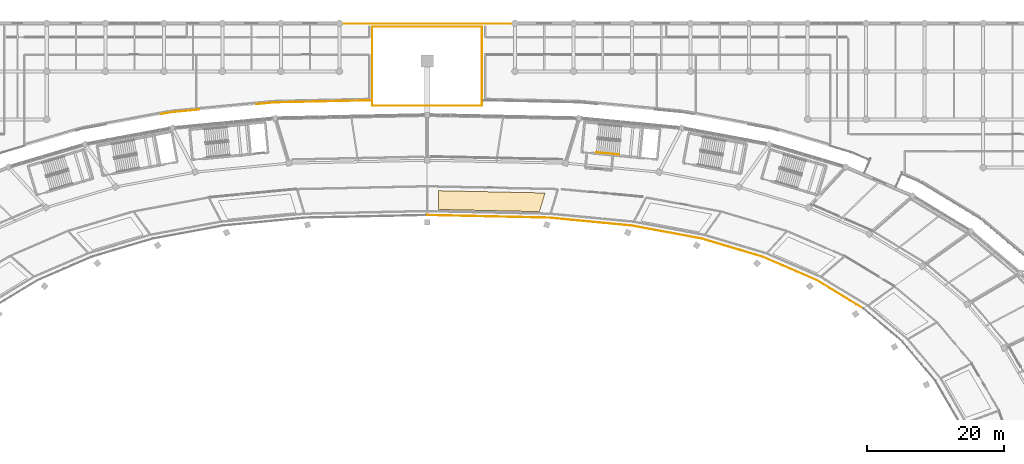
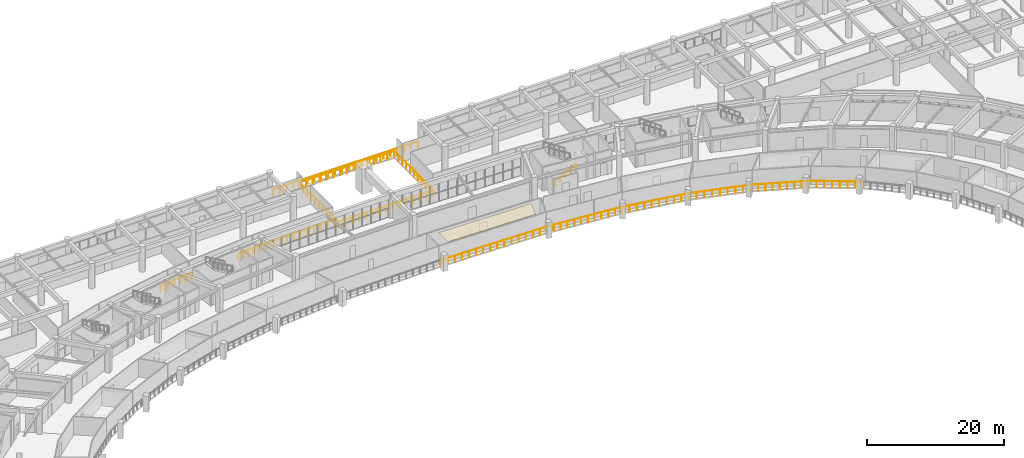
# One storey, part 137 of 141: 7 railings, 1 covering.
"""IFC4 building model written with IfcOpenShell, lengths in metres."""

from ifc_helpers import new_model, si_unit, direction, frame, origin, origin_2d, place, context, subcontext, project, spatial, polyline, circle, outline, extrude, material, layer, layer_set, type_object, element, save


model = new_model("IFC4")

# Units and contexts
model_context = context("Model", 3, precision=1e-05, world=origin(), true_north=direction((0.0, 1.0)))
body_context = subcontext(model_context, "Body", "Model", "MODEL_VIEW")
ifc_project = project(units=[si_unit("LENGTHUNIT", "METRE"), si_unit("AREAUNIT", "SQUARE_METRE"), si_unit("VOLUMEUNIT", "CUBIC_METRE"), si_unit("PLANEANGLEUNIT", "RADIAN"), si_unit("MASSUNIT", "GRAM", prefix="KILO")], contexts=[model_context])

# Site, building, storey
site_placement = place(None, origin())
site = spatial("IfcSite", under=ifc_project, at=site_placement, CompositionType="ELEMENT")
building_placement = place(site_placement, origin())
building = spatial("IfcBuilding", under=site, at=building_placement, Name="Mphavela Belvedere Stadium", CompositionType="ELEMENT")
storey_placement = place(building_placement, frame((0.0, 0.0, 14.699951171875)))
storey = spatial("IfcBuildingStorey", under=building, at=storey_placement, Name="L03", CompositionType="ELEMENT", Elevation=14.699951171875)

# Covering
ifc_material_1 = material(Name="Perforated acoustic mineral ceiling tile")
ifc_layer = layer(ifc_material_1, 0.0400390625)
ifc_layer_set = layer_set([ifc_layer], Name="Perforated acoustic mineral ceiling tile")
covering_type = type_object("IfcCoveringType", Name="COV-CEILING-ACOUSTIC", PredefinedType="CEILING", material=ifc_layer_set)
covering_placement = place(storey_placement, frame((0.0, 0.0, 3.199951171875)))
element("IfcCovering", 1, at=covering_placement, inside=storey, type_object=covering_type, Name="Concourse acoustic ceiling L03-12", PredefinedType="CEILING", context=body_context, shape_type="SweptSolid", body=[
    extrude(outline(polyline([(131.334228515625, 146.57958984375), (116.656005859375, 146.8955078125), (116.656005859375, 149.631103515625), (132.155517578125, 149.29736328125), (131.334228515625, 146.57958984375)])), origin(), (0.0, 0.0, 1.0), 0.0400390625),
])

# Railings
ifc_material_2 = material(Name="Bronze and laminated glass stadium balustrade", Category="glass")
railing_type_1 = type_object("IfcRailingType", Name="RAL-BALUSTRADE-1120", PredefinedType="BALUSTRADE", material=ifc_material_2)
railing_1_placement = place(storey_placement, frame((107.0, 162.0, 0.0)))
element("IfcRailing", 2, at=railing_1_placement, inside=storey, type_object=railing_type_1, Name="North Mast and Ceremonial End Forecourt court balustrade L03-A", PredefinedType="BALUSTRADE", context=body_context, shape_type="SweptSolid", body=[
    extrude(circle(Radius=0.02392578125, at=origin_2d()), frame((0.0, 0.0, 1.09619140625), z_axis=(1.0, 0.0, 0.0), x_axis=(0.0, 1.0, 0.0)), (0.0, 0.0, 1.0), 16.0),
    extrude(circle(Radius=0.02392578125, at=origin_2d()), frame((16.0, 0.0, 1.09619140625), z_axis=(0.0, 1.0, 0.0), x_axis=(-1.0, 0.0, 0.0)), (0.0, 0.0, 1.0), 11.419921875),
    extrude(circle(Radius=0.02099609375, at=origin_2d()), origin(), (0.0, 0.0, 1.0), 1.072021484375),
    extrude(circle(Radius=0.02099609375, at=origin_2d()), frame((1.142822265625, 0.0, 0.0)), (0.0, 0.0, 1.0), 1.072021484375),
    extrude(circle(Radius=0.02099609375, at=origin_2d()), frame((2.28564453125, 0.0, 0.0)), (0.0, 0.0, 1.0), 1.072021484375),
    extrude(circle(Radius=0.02099609375, at=origin_2d()), frame((3.428466796875, 0.0, 0.0)), (0.0, 0.0, 1.0), 1.072021484375),
    extrude(circle(Radius=0.02099609375, at=origin_2d()), frame((4.571533203125, 0.0, 0.0)), (0.0, 0.0, 1.0), 1.072021484375),
    extrude(circle(Radius=0.02099609375, at=origin_2d()), frame((5.71435546875, 0.0, 0.0)), (0.0, 0.0, 1.0), 1.072021484375),
    extrude(circle(Radius=0.02099609375, at=origin_2d()), frame((6.857177734375, 0.0, 0.0)), (0.0, 0.0, 1.0), 1.072021484375),
    extrude(circle(Radius=0.02099609375, at=origin_2d()), frame((8.0, 0.0, 0.0)), (0.0, 0.0, 1.0), 1.072021484375),
    extrude(circle(Radius=0.02099609375, at=origin_2d()), frame((9.142822265625, 0.0, 0.0)), (0.0, 0.0, 1.0), 1.072021484375),
    extrude(circle(Radius=0.02099609375, at=origin_2d()), frame((10.28564453125, 0.0, 0.0)), (0.0, 0.0, 1.0), 1.072021484375),
    extrude(circle(Radius=0.02099609375, at=origin_2d()), frame((11.428466796875, 0.0, 0.0)), (0.0, 0.0, 1.0), 1.072021484375),
    extrude(circle(Radius=0.02099609375, at=origin_2d()), frame((12.571533203125, 0.0, 0.0)), (0.0, 0.0, 1.0), 1.072021484375),
    extrude(circle(Radius=0.02099609375, at=origin_2d()), frame((13.71435546875, 0.0, 0.0)), (0.0, 0.0, 1.0), 1.072021484375),
    extrude(circle(Radius=0.02099609375, at=origin_2d()), frame((14.857177734375, 0.0, 0.0)), (0.0, 0.0, 1.0), 1.072021484375),
    extrude(circle(Radius=0.02099609375, at=origin_2d()), frame((16.0, 0.0, 0.0)), (0.0, 0.0, 1.0), 1.072021484375),
    extrude(circle(Radius=0.02099609375, at=origin_2d()), frame((16.0, 1.14208984375, 0.0)), (0.0, 0.0, 1.0), 1.072021484375),
    extrude(circle(Radius=0.02099609375, at=origin_2d()), frame((16.0, 2.283935546875, 0.0)), (0.0, 0.0, 1.0), 1.072021484375),
    extrude(circle(Radius=0.02099609375, at=origin_2d()), frame((16.0, 3.426025390625, 0.0)), (0.0, 0.0, 1.0), 1.072021484375),
    extrude(circle(Radius=0.02099609375, at=origin_2d()), frame((16.0, 4.56787109375, 0.0)), (0.0, 0.0, 1.0), 1.072021484375),
    extrude(circle(Radius=0.02099609375, at=origin_2d()), frame((16.0, 5.7099609375, 0.0)), (0.0, 0.0, 1.0), 1.072021484375),
    extrude(circle(Radius=0.02099609375, at=origin_2d()), frame((16.0, 6.85205078125, 0.0)), (0.0, 0.0, 1.0), 1.072021484375),
    extrude(circle(Radius=0.02099609375, at=origin_2d()), frame((16.0, 7.993896484375, 0.0)), (0.0, 0.0, 1.0), 1.072021484375),
    extrude(circle(Radius=0.02099609375, at=origin_2d()), frame((16.0, 9.135986328125, 0.0)), (0.0, 0.0, 1.0), 1.072021484375),
    extrude(circle(Radius=0.02099609375, at=origin_2d()), frame((16.0, 10.27783203125, 0.0)), (0.0, 0.0, 1.0), 1.072021484375),
    extrude(circle(Radius=0.02099609375, at=origin_2d()), frame((16.0, 11.419921875, 0.0)), (0.0, 0.0, 1.0), 1.072021484375),
])
railing_2_placement = place(storey_placement, frame((123.0, 173.5, 0.0)))
element("IfcRailing", 3, at=railing_2_placement, inside=storey, type_object=railing_type_1, Name="North Mast and Ceremonial End Forecourt court balustrade L03-B", PredefinedType="BALUSTRADE", context=body_context, shape_type="SweptSolid", body=[
    extrude(circle(Radius=0.02392578125, at=origin_2d()), frame((0.0, 0.0, 1.09619140625), z_axis=(-1.0, 0.0, 0.0), x_axis=(0.0, -1.0, 0.0)), (0.0, 0.0, 1.0), 16.0),
    extrude(circle(Radius=0.02392578125, at=origin_2d()), frame((-16.0, 0.0, 1.09619140625), z_axis=(0.0, -1.0, 0.0), x_axis=(1.0, 0.0, 0.0)), (0.0, 0.0, 1.0), 11.419921875),
    extrude(circle(Radius=0.02099609375, at=origin_2d()), origin(), (0.0, 0.0, 1.0), 1.072021484375),
    extrude(circle(Radius=0.02099609375, at=origin_2d()), frame((-1.142822265625, 0.0, 0.0)), (0.0, 0.0, 1.0), 1.072021484375),
    extrude(circle(Radius=0.02099609375, at=origin_2d()), frame((-2.28564453125, 0.0, 0.0)), (0.0, 0.0, 1.0), 1.072021484375),
    extrude(circle(Radius=0.02099609375, at=origin_2d()), frame((-3.428466796875, 0.0, 0.0)), (0.0, 0.0, 1.0), 1.072021484375),
    extrude(circle(Radius=0.02099609375, at=origin_2d()), frame((-4.571533203125, 0.0, 0.0)), (0.0, 0.0, 1.0), 1.072021484375),
    extrude(circle(Radius=0.02099609375, at=origin_2d()), frame((-5.71435546875, 0.0, 0.0)), (0.0, 0.0, 1.0), 1.072021484375),
    extrude(circle(Radius=0.02099609375, at=origin_2d()), frame((-6.857177734375, 0.0, 0.0)), (0.0, 0.0, 1.0), 1.072021484375),
    extrude(circle(Radius=0.02099609375, at=origin_2d()), frame((-8.0, 0.0, 0.0)), (0.0, 0.0, 1.0), 1.072021484375),
    extrude(circle(Radius=0.02099609375, at=origin_2d()), frame((-9.142822265625, 0.0, 0.0)), (0.0, 0.0, 1.0), 1.072021484375),
    extrude(circle(Radius=0.02099609375, at=origin_2d()), frame((-10.28564453125, 0.0, 0.0)), (0.0, 0.0, 1.0), 1.072021484375),
    extrude(circle(Radius=0.02099609375, at=origin_2d()), frame((-11.428466796875, 0.0, 0.0)), (0.0, 0.0, 1.0), 1.072021484375),
    extrude(circle(Radius=0.02099609375, at=origin_2d()), frame((-12.571533203125, 0.0, 0.0)), (0.0, 0.0, 1.0), 1.072021484375),
    extrude(circle(Radius=0.02099609375, at=origin_2d()), frame((-13.71435546875, 0.0, 0.0)), (0.0, 0.0, 1.0), 1.072021484375),
    extrude(circle(Radius=0.02099609375, at=origin_2d()), frame((-14.857177734375, 0.0, 0.0)), (0.0, 0.0, 1.0), 1.072021484375),
    extrude(circle(Radius=0.02099609375, at=origin_2d()), frame((-16.0, 0.0, 0.0)), (0.0, 0.0, 1.0), 1.072021484375),
    extrude(circle(Radius=0.02099609375, at=origin_2d()), frame((-16.0, -1.14208984375, 0.0)), (0.0, 0.0, 1.0), 1.072021484375),
    extrude(circle(Radius=0.02099609375, at=origin_2d()), frame((-16.0, -2.283935546875, 0.0)), (0.0, 0.0, 1.0), 1.072021484375),
    extrude(circle(Radius=0.02099609375, at=origin_2d()), frame((-16.0, -3.426025390625, 0.0)), (0.0, 0.0, 1.0), 1.072021484375),
    extrude(circle(Radius=0.02099609375, at=origin_2d()), frame((-16.0, -4.56787109375, 0.0)), (0.0, 0.0, 1.0), 1.072021484375),
    extrude(circle(Radius=0.02099609375, at=origin_2d()), frame((-16.0, -5.7099609375, 0.0)), (0.0, 0.0, 1.0), 1.072021484375),
    extrude(circle(Radius=0.02099609375, at=origin_2d()), frame((-16.0, -6.85205078125, 0.0)), (0.0, 0.0, 1.0), 1.072021484375),
    extrude(circle(Radius=0.02099609375, at=origin_2d()), frame((-16.0, -7.993896484375, 0.0)), (0.0, 0.0, 1.0), 1.072021484375),
    extrude(circle(Radius=0.02099609375, at=origin_2d()), frame((-16.0, -9.135986328125, 0.0)), (0.0, 0.0, 1.0), 1.072021484375),
    extrude(circle(Radius=0.02099609375, at=origin_2d()), frame((-16.0, -10.27783203125, 0.0)), (0.0, 0.0, 1.0), 1.072021484375),
    extrude(circle(Radius=0.02099609375, at=origin_2d()), frame((-16.0, -11.419921875, 0.0)), (0.0, 0.0, 1.0), 1.072021484375),
])
railing_3_placement = place(storey_placement, frame((178.473876953125, 132.478515625, 0.0)))
element("IfcRailing", 4, at=railing_3_placement, inside=storey, type_object=railing_type_1, Name="Bowl safety balustrade l03_bowl S2", PredefinedType="BALUSTRADE", context=body_context, shape_type="SweptSolid", body=[
    extrude(circle(Radius=0.02392578125, at=origin_2d()), frame((0.0, 0.0, 1.09619140625), z_axis=(-0.854316094817, 0.519753797617, 0.0), x_axis=(-0.519753797617, -0.854316094817, 0.0)), (0.0, 0.0, 1.0), 7.940185546875),
    extrude(circle(Radius=0.02392578125, at=origin_2d()), frame((-6.783447265625, 4.126953125, 1.09619140625), z_axis=(-0.917499572249, 0.397736765869, 0.0), x_axis=(-0.397736765869, -0.917499572249, 0.0)), (0.0, 0.0, 1.0), 8.529052734375),
    extrude(circle(Radius=0.02392578125, at=origin_2d()), frame((-14.60888671875, 7.519287109375, 1.09619140625), z_axis=(-0.958661836311, 0.284547858189, 0.0), x_axis=(-0.284547858189, -0.958661836311, 0.0)), (0.0, 0.0, 1.0), 9.315185546875),
    extrude(circle(Radius=0.02392578125, at=origin_2d()), frame((-23.5390625, 10.169921875, 1.09619140625), z_axis=(-0.983095612922, 0.183092915902, 0.0), x_axis=(-0.183092915902, -0.983095612922, 0.0)), (0.0, 0.0, 1.0), 10.382080078125),
    extrude(circle(Radius=0.02392578125, at=origin_2d()), frame((-33.74560546875, 12.07080078125, 1.09619140625), z_axis=(-0.995484264722, 0.09492670168, 0.0), x_axis=(-0.09492670168, -0.995484264722, 0.0)), (0.0, 0.0, 1.0), 12.04931640625),
    extrude(circle(Radius=0.02392578125, at=origin_2d()), frame((-45.740478515625, 13.214599609375, 1.09619140625), z_axis=(-0.999768266575, 0.021527032999, 0.0), x_axis=(-0.021527032999, -0.999768266575, 0.0)), (0.0, 0.0, 1.0), 17.737548828125),
    extrude(circle(Radius=0.02099609375, at=origin_2d()), origin(), (0.0, 0.0, 1.0), 1.072021484375),
    extrude(circle(Radius=0.02099609375, at=origin_2d()), frame((-0.968994140625, 0.589599609375, 0.0)), (0.0, 0.0, 1.0), 1.072021484375),
    extrude(circle(Radius=0.02099609375, at=origin_2d()), frame((-1.938232421875, 1.17919921875, 0.0)), (0.0, 0.0, 1.0), 1.072021484375),
    extrude(circle(Radius=0.02099609375, at=origin_2d()), frame((-2.9072265625, 1.768798828125, 0.0)), (0.0, 0.0, 1.0), 1.072021484375),
    extrude(circle(Radius=0.02099609375, at=origin_2d()), frame((-3.876220703125, 2.358154296875, 0.0)), (0.0, 0.0, 1.0), 1.072021484375),
    extrude(circle(Radius=0.02099609375, at=origin_2d()), frame((-4.84521484375, 2.94775390625, 0.0)), (0.0, 0.0, 1.0), 1.072021484375),
    extrude(circle(Radius=0.02099609375, at=origin_2d()), frame((-5.814453125, 3.537353515625, 0.0)), (0.0, 0.0, 1.0), 1.072021484375),
    extrude(circle(Radius=0.02099609375, at=origin_2d()), frame((-6.783447265625, 4.126953125, 0.0)), (0.0, 0.0, 1.0), 1.072021484375),
    extrude(circle(Radius=0.02099609375, at=origin_2d()), frame((-7.76171875, 4.551025390625, 0.0)), (0.0, 0.0, 1.0), 1.072021484375),
    extrude(circle(Radius=0.02099609375, at=origin_2d()), frame((-8.73974609375, 4.97509765625, 0.0)), (0.0, 0.0, 1.0), 1.072021484375),
    extrude(circle(Radius=0.02099609375, at=origin_2d()), frame((-9.718017578125, 5.399169921875, 0.0)), (0.0, 0.0, 1.0), 1.072021484375),
    extrude(circle(Radius=0.02099609375, at=origin_2d()), frame((-10.6962890625, 5.8232421875, 0.0)), (0.0, 0.0, 1.0), 1.072021484375),
    extrude(circle(Radius=0.02099609375, at=origin_2d()), frame((-11.67431640625, 6.2470703125, 0.0)), (0.0, 0.0, 1.0), 1.072021484375),
    extrude(circle(Radius=0.02099609375, at=origin_2d()), frame((-12.652587890625, 6.671142578125, 0.0)), (0.0, 0.0, 1.0), 1.072021484375),
    extrude(circle(Radius=0.02099609375, at=origin_2d()), frame((-13.630615234375, 7.09521484375, 0.0)), (0.0, 0.0, 1.0), 1.072021484375),
    extrude(circle(Radius=0.02099609375, at=origin_2d()), frame((-14.60888671875, 7.519287109375, 0.0)), (0.0, 0.0, 1.0), 1.072021484375),
    extrude(circle(Radius=0.02099609375, at=origin_2d()), frame((-15.72509765625, 7.8505859375, 0.0)), (0.0, 0.0, 1.0), 1.072021484375),
    extrude(circle(Radius=0.02099609375, at=origin_2d()), frame((-16.84130859375, 8.181884765625, 0.0)), (0.0, 0.0, 1.0), 1.072021484375),
    extrude(circle(Radius=0.02099609375, at=origin_2d()), frame((-17.957763671875, 8.51318359375, 0.0)), (0.0, 0.0, 1.0), 1.072021484375),
    extrude(circle(Radius=0.02099609375, at=origin_2d()), frame((-19.073974609375, 8.8447265625, 0.0)), (0.0, 0.0, 1.0), 1.072021484375),
    extrude(circle(Radius=0.02099609375, at=origin_2d()), frame((-20.190185546875, 9.176025390625, 0.0)), (0.0, 0.0, 1.0), 1.072021484375),
    extrude(circle(Radius=0.02099609375, at=origin_2d()), frame((-21.306640625, 9.50732421875, 0.0)), (0.0, 0.0, 1.0), 1.072021484375),
    extrude(circle(Radius=0.02099609375, at=origin_2d()), frame((-22.4228515625, 9.838623046875, 0.0)), (0.0, 0.0, 1.0), 1.072021484375),
    extrude(circle(Radius=0.02099609375, at=origin_2d()), frame((-23.5390625, 10.169921875, 0.0)), (0.0, 0.0, 1.0), 1.072021484375),
    extrude(circle(Radius=0.02099609375, at=origin_2d()), frame((-24.673095703125, 10.381103515625, 0.0)), (0.0, 0.0, 1.0), 1.072021484375),
    extrude(circle(Radius=0.02099609375, at=origin_2d()), frame((-25.80712890625, 10.59228515625, 0.0)), (0.0, 0.0, 1.0), 1.072021484375),
    extrude(circle(Radius=0.02099609375, at=origin_2d()), frame((-26.941162109375, 10.803466796875, 0.0)), (0.0, 0.0, 1.0), 1.072021484375),
    extrude(circle(Radius=0.02099609375, at=origin_2d()), frame((-28.0751953125, 11.0146484375, 0.0)), (0.0, 0.0, 1.0), 1.072021484375),
    extrude(circle(Radius=0.02099609375, at=origin_2d()), frame((-29.20947265625, 11.22607421875, 0.0)), (0.0, 0.0, 1.0), 1.072021484375),
    extrude(circle(Radius=0.02099609375, at=origin_2d()), frame((-30.343505859375, 11.437255859375, 0.0)), (0.0, 0.0, 1.0), 1.072021484375),
    extrude(circle(Radius=0.02099609375, at=origin_2d()), frame((-31.4775390625, 11.6484375, 0.0)), (0.0, 0.0, 1.0), 1.072021484375),
    extrude(circle(Radius=0.02099609375, at=origin_2d()), frame((-32.611572265625, 11.859619140625, 0.0)), (0.0, 0.0, 1.0), 1.072021484375),
    extrude(circle(Radius=0.02099609375, at=origin_2d()), frame((-33.74560546875, 12.07080078125, 0.0)), (0.0, 0.0, 1.0), 1.072021484375),
    extrude(circle(Radius=0.02099609375, at=origin_2d()), frame((-34.8359375, 12.1748046875, 0.0)), (0.0, 0.0, 1.0), 1.072021484375),
    extrude(circle(Radius=0.02099609375, at=origin_2d()), frame((-35.926513671875, 12.27880859375, 0.0)), (0.0, 0.0, 1.0), 1.072021484375),
    extrude(circle(Radius=0.02099609375, at=origin_2d()), frame((-37.016845703125, 12.3828125, 0.0)), (0.0, 0.0, 1.0), 1.072021484375),
    extrude(circle(Radius=0.02099609375, at=origin_2d()), frame((-38.107421875, 12.48681640625, 0.0)), (0.0, 0.0, 1.0), 1.072021484375),
    extrude(circle(Radius=0.02099609375, at=origin_2d()), frame((-39.19775390625, 12.5908203125, 0.0)), (0.0, 0.0, 1.0), 1.072021484375),
    extrude(circle(Radius=0.02099609375, at=origin_2d()), frame((-40.288330078125, 12.694580078125, 0.0)), (0.0, 0.0, 1.0), 1.072021484375),
    extrude(circle(Radius=0.02099609375, at=origin_2d()), frame((-41.378662109375, 12.798583984375, 0.0)), (0.0, 0.0, 1.0), 1.072021484375),
    extrude(circle(Radius=0.02099609375, at=origin_2d()), frame((-42.46923828125, 12.902587890625, 0.0)), (0.0, 0.0, 1.0), 1.072021484375),
    extrude(circle(Radius=0.02099609375, at=origin_2d()), frame((-43.5595703125, 13.006591796875, 0.0)), (0.0, 0.0, 1.0), 1.072021484375),
    extrude(circle(Radius=0.02099609375, at=origin_2d()), frame((-44.650146484375, 13.110595703125, 0.0)), (0.0, 0.0, 1.0), 1.072021484375),
    extrude(circle(Radius=0.02099609375, at=origin_2d()), frame((-45.740478515625, 13.214599609375, 0.0)), (0.0, 0.0, 1.0), 1.072021484375),
    extrude(circle(Radius=0.02099609375, at=origin_2d()), frame((-46.922607421875, 13.239990234375, 0.0)), (0.0, 0.0, 1.0), 1.072021484375),
    extrude(circle(Radius=0.02099609375, at=origin_2d()), frame((-48.10498046875, 13.265625, 0.0)), (0.0, 0.0, 1.0), 1.072021484375),
    extrude(circle(Radius=0.02099609375, at=origin_2d()), frame((-49.287109375, 13.291015625, 0.0)), (0.0, 0.0, 1.0), 1.072021484375),
    extrude(circle(Radius=0.02099609375, at=origin_2d()), frame((-50.469482421875, 13.31640625, 0.0)), (0.0, 0.0, 1.0), 1.072021484375),
    extrude(circle(Radius=0.02099609375, at=origin_2d()), frame((-51.651611328125, 13.341796875, 0.0)), (0.0, 0.0, 1.0), 1.072021484375),
    extrude(circle(Radius=0.02099609375, at=origin_2d()), frame((-52.833740234375, 13.367431640625, 0.0)), (0.0, 0.0, 1.0), 1.072021484375),
    extrude(circle(Radius=0.02099609375, at=origin_2d()), frame((-54.01611328125, 13.392822265625, 0.0)), (0.0, 0.0, 1.0), 1.072021484375),
    extrude(circle(Radius=0.02099609375, at=origin_2d()), frame((-55.1982421875, 13.418212890625, 0.0)), (0.0, 0.0, 1.0), 1.072021484375),
    extrude(circle(Radius=0.02099609375, at=origin_2d()), frame((-56.380615234375, 13.443603515625, 0.0)), (0.0, 0.0, 1.0), 1.072021484375),
    extrude(circle(Radius=0.02099609375, at=origin_2d()), frame((-57.562744140625, 13.46923828125, 0.0)), (0.0, 0.0, 1.0), 1.072021484375),
    extrude(circle(Radius=0.02099609375, at=origin_2d()), frame((-58.744873046875, 13.49462890625, 0.0)), (0.0, 0.0, 1.0), 1.072021484375),
    extrude(circle(Radius=0.02099609375, at=origin_2d()), frame((-59.92724609375, 13.52001953125, 0.0)), (0.0, 0.0, 1.0), 1.072021484375),
    extrude(circle(Radius=0.02099609375, at=origin_2d()), frame((-61.109375, 13.54541015625, 0.0)), (0.0, 0.0, 1.0), 1.072021484375),
    extrude(circle(Radius=0.02099609375, at=origin_2d()), frame((-62.291748046875, 13.571044921875, 0.0)), (0.0, 0.0, 1.0), 1.072021484375),
    extrude(circle(Radius=0.02099609375, at=origin_2d()), frame((-63.473876953125, 13.596435546875, 0.0)), (0.0, 0.0, 1.0), 1.072021484375),
])
railing_4_placement = place(storey_placement, frame((106.719970703125, 162.772216796875, 0.0)))
element("IfcRailing", 5, at=railing_4_placement, inside=storey, type_object=railing_type_1, Name="Peristyle wing gallery edge balustrade L03-30", PredefinedType="BALUSTRADE", context=body_context, shape_type="SweptSolid", body=[
    extrude(circle(Radius=0.02392578125, at=origin_2d()), frame((0.0, 0.0, 1.09619140625), z_axis=(-0.999768449316, -0.021518544383, 0.0), x_axis=(0.021518544383, -0.999768449316, 0.0)), (0.0, 0.0, 1.0), 13.886962890625),
    extrude(circle(Radius=0.02392578125, at=origin_2d()), frame((-13.8837890625, -0.298828125, 1.09619140625), z_axis=(-0.995701021034, -0.09262546471, 0.0), x_axis=(0.09262546471, -0.995701021034, 0.0)), (0.0, 0.0, 1.0), 2.685791015625),
    extrude(circle(Radius=0.02099609375, at=origin_2d()), origin(), (0.0, 0.0, 1.0), 1.072021484375),
    extrude(circle(Radius=0.02099609375, at=origin_2d()), frame((-1.156982421875, -0.02490234375, 0.0)), (0.0, 0.0, 1.0), 1.072021484375),
    extrude(circle(Radius=0.02099609375, at=origin_2d()), frame((-2.31396484375, -0.0498046875, 0.0)), (0.0, 0.0, 1.0), 1.072021484375),
    extrude(circle(Radius=0.02099609375, at=origin_2d()), frame((-3.470947265625, -0.07470703125, 0.0)), (0.0, 0.0, 1.0), 1.072021484375),
    extrude(circle(Radius=0.02099609375, at=origin_2d()), frame((-4.6279296875, -0.099609375, 0.0)), (0.0, 0.0, 1.0), 1.072021484375),
    extrude(circle(Radius=0.02099609375, at=origin_2d()), frame((-5.784912109375, -0.12451171875, 0.0)), (0.0, 0.0, 1.0), 1.072021484375),
    extrude(circle(Radius=0.02099609375, at=origin_2d()), frame((-6.94189453125, -0.1494140625, 0.0)), (0.0, 0.0, 1.0), 1.072021484375),
    extrude(circle(Radius=0.02099609375, at=origin_2d()), frame((-8.098876953125, -0.17431640625, 0.0)), (0.0, 0.0, 1.0), 1.072021484375),
    extrude(circle(Radius=0.02099609375, at=origin_2d()), frame((-9.255859375, -0.19921875, 0.0)), (0.0, 0.0, 1.0), 1.072021484375),
    extrude(circle(Radius=0.02099609375, at=origin_2d()), frame((-10.412841796875, -0.22412109375, 0.0)), (0.0, 0.0, 1.0), 1.072021484375),
    extrude(circle(Radius=0.02099609375, at=origin_2d()), frame((-11.56982421875, -0.2490234375, 0.0)), (0.0, 0.0, 1.0), 1.072021484375),
    extrude(circle(Radius=0.02099609375, at=origin_2d()), frame((-12.726806640625, -0.27392578125, 0.0)), (0.0, 0.0, 1.0), 1.072021484375),
    extrude(circle(Radius=0.02099609375, at=origin_2d()), frame((-13.8837890625, -0.298828125, 0.0)), (0.0, 0.0, 1.0), 1.072021484375),
    extrude(circle(Radius=0.02099609375, at=origin_2d()), frame((-14.775146484375, -0.3818359375, 0.0)), (0.0, 0.0, 1.0), 1.072021484375),
    extrude(circle(Radius=0.02099609375, at=origin_2d()), frame((-15.666748046875, -0.464599609375, 0.0)), (0.0, 0.0, 1.0), 1.072021484375),
    extrude(circle(Radius=0.02099609375, at=origin_2d()), frame((-16.55810546875, -0.547607421875, 0.0)), (0.0, 0.0, 1.0), 1.072021484375),
])
railing_5_placement = place(storey_placement, frame((81.826904296875, 161.4296875, 0.0)))
element("IfcRailing", 6, at=railing_5_placement, inside=storey, type_object=railing_type_1, Name="Peristyle wing gallery edge balustrade L03-31", PredefinedType="BALUSTRADE", context=body_context, shape_type="SweptSolid", body=[
    extrude(circle(Radius=0.02392578125, at=origin_2d()), frame((0.0, 0.0, 1.09619140625), z_axis=(-0.995482726016, -0.094942836503, 0.0), x_axis=(0.094942836503, -0.995482726016, 0.0)), (0.0, 0.0, 1.0), 4.135009765625),
    extrude(circle(Radius=0.02392578125, at=origin_2d()), frame((-4.1162109375, -0.392578125, 1.09619140625), z_axis=(-0.984163739647, -0.177261765658, 0.0), x_axis=(0.177261765658, -0.984163739647, 0.0)), (0.0, 0.0, 1.0), 1.52197265625),
    extrude(circle(Radius=0.02099609375, at=origin_2d()), origin(), (0.0, 0.0, 1.0), 1.072021484375),
    extrude(circle(Radius=0.02099609375, at=origin_2d()), frame((-1.029052734375, -0.09814453125, 0.0)), (0.0, 0.0, 1.0), 1.072021484375),
    extrude(circle(Radius=0.02099609375, at=origin_2d()), frame((-2.05810546875, -0.1962890625, 0.0)), (0.0, 0.0, 1.0), 1.072021484375),
    extrude(circle(Radius=0.02099609375, at=origin_2d()), frame((-3.087158203125, -0.29443359375, 0.0)), (0.0, 0.0, 1.0), 1.072021484375),
    extrude(circle(Radius=0.02099609375, at=origin_2d()), frame((-4.1162109375, -0.392578125, 0.0)), (0.0, 0.0, 1.0), 1.072021484375),
    extrude(circle(Radius=0.02099609375, at=origin_2d()), frame((-4.865234375, -0.52734375, 0.0)), (0.0, 0.0, 1.0), 1.072021484375),
    extrude(circle(Radius=0.02099609375, at=origin_2d()), frame((-5.614013671875, -0.662353515625, 0.0)), (0.0, 0.0, 1.0), 1.072021484375),
])
railing_6_placement = place(storey_placement, frame((102.765380859375, 173.919921875, 0.0)))
element("IfcRailing", 7, at=railing_6_placement, inside=storey, type_object=railing_type_1, Name="Peristyle wing gallery edge balustrade L03-44", PredefinedType="BALUSTRADE", context=body_context, shape_type="SweptSolid", body=[
    extrude(circle(Radius=0.02392578125, at=origin_2d()), frame((0.0, 0.0, 1.09619140625), z_axis=(1.0, 0.0, 0.0), x_axis=(0.0, 1.0, 0.0)), (0.0, 0.0, 1.0), 24.46923828125),
    extrude(circle(Radius=0.02099609375, at=origin_2d()), origin(), (0.0, 0.0, 1.0), 1.072021484375),
    extrude(circle(Radius=0.02099609375, at=origin_2d()), frame((1.165283203125, 0.0, 0.0)), (0.0, 0.0, 1.0), 1.072021484375),
    extrude(circle(Radius=0.02099609375, at=origin_2d()), frame((2.330322265625, 0.0, 0.0)), (0.0, 0.0, 1.0), 1.072021484375),
    extrude(circle(Radius=0.02099609375, at=origin_2d()), frame((3.49560546875, 0.0, 0.0)), (0.0, 0.0, 1.0), 1.072021484375),
    extrude(circle(Radius=0.02099609375, at=origin_2d()), frame((4.660888671875, 0.0, 0.0)), (0.0, 0.0, 1.0), 1.072021484375),
    extrude(circle(Radius=0.02099609375, at=origin_2d()), frame((5.825927734375, 0.0, 0.0)), (0.0, 0.0, 1.0), 1.072021484375),
    extrude(circle(Radius=0.02099609375, at=origin_2d()), frame((6.9912109375, 0.0, 0.0)), (0.0, 0.0, 1.0), 1.072021484375),
    extrude(circle(Radius=0.02099609375, at=origin_2d()), frame((8.156494140625, 0.0, 0.0)), (0.0, 0.0, 1.0), 1.072021484375),
    extrude(circle(Radius=0.02099609375, at=origin_2d()), frame((9.321533203125, 0.0, 0.0)), (0.0, 0.0, 1.0), 1.072021484375),
    extrude(circle(Radius=0.02099609375, at=origin_2d()), frame((10.48681640625, 0.0, 0.0)), (0.0, 0.0, 1.0), 1.072021484375),
    extrude(circle(Radius=0.02099609375, at=origin_2d()), frame((11.652099609375, 0.0, 0.0)), (0.0, 0.0, 1.0), 1.072021484375),
    extrude(circle(Radius=0.02099609375, at=origin_2d()), frame((12.817138671875, 0.0, 0.0)), (0.0, 0.0, 1.0), 1.072021484375),
    extrude(circle(Radius=0.02099609375, at=origin_2d()), frame((13.982421875, 0.0, 0.0)), (0.0, 0.0, 1.0), 1.072021484375),
    extrude(circle(Radius=0.02099609375, at=origin_2d()), frame((15.147705078125, 0.0, 0.0)), (0.0, 0.0, 1.0), 1.072021484375),
    extrude(circle(Radius=0.02099609375, at=origin_2d()), frame((16.312744140625, 0.0, 0.0)), (0.0, 0.0, 1.0), 1.072021484375),
    extrude(circle(Radius=0.02099609375, at=origin_2d()), frame((17.47802734375, 0.0, 0.0)), (0.0, 0.0, 1.0), 1.072021484375),
    extrude(circle(Radius=0.02099609375, at=origin_2d()), frame((18.643310546875, 0.0, 0.0)), (0.0, 0.0, 1.0), 1.072021484375),
    extrude(circle(Radius=0.02099609375, at=origin_2d()), frame((19.808349609375, 0.0, 0.0)), (0.0, 0.0, 1.0), 1.072021484375),
    extrude(circle(Radius=0.02099609375, at=origin_2d()), frame((20.9736328125, 0.0, 0.0)), (0.0, 0.0, 1.0), 1.072021484375),
    extrude(circle(Radius=0.02099609375, at=origin_2d()), frame((22.138916015625, 0.0, 0.0)), (0.0, 0.0, 1.0), 1.072021484375),
    extrude(circle(Radius=0.02099609375, at=origin_2d()), frame((23.303955078125, 0.0, 0.0)), (0.0, 0.0, 1.0), 1.072021484375),
    extrude(circle(Radius=0.02099609375, at=origin_2d()), frame((24.46923828125, 0.0, 0.0)), (0.0, 0.0, 1.0), 1.072021484375),
])
ifc_material_3 = material(Name="Brushed stainless steel tubular handrail", Category="steel")
railing_type_2 = type_object("IfcRailingType", Name="RAL-HANDRAIL-900", PredefinedType="HANDRAIL", material=ifc_material_3)
railing_7_placement = place(storey_placement, frame((139.625732421875, 155.200439453125, 0.1875)))
element("IfcRailing", 8, at=railing_7_placement, inside=storey, type_object=railing_type_2, Name="L03 ST-C03 stair handrail 1", PredefinedType="HANDRAIL", context=body_context, shape_type="SweptSolid", body=[
    extrude(circle(Radius=0.02392578125, at=origin_2d()), frame((0.0, 0.0, 0.8759765625), z_axis=(0.845728756468, -0.080670472747, 0.527479995175), x_axis=(0.094954759157, 0.995481588837, 0.0)), (0.0, 0.0, 1.0), 3.91015625),
    extrude(circle(Radius=0.02099609375, at=origin_2d()), origin(), (0.0, 0.0, 1.0), 0.851806640625),
    extrude(circle(Radius=0.02099609375, at=origin_2d()), frame((0.82666015625, -0.078857421875, 0.515625)), (0.0, 0.0, 1.0), 0.851806640625),
    extrude(circle(Radius=0.02099609375, at=origin_2d()), frame((1.6533203125, -0.15771484375, 1.03125)), (0.0, 0.0, 1.0), 0.851806640625),
    extrude(circle(Radius=0.02099609375, at=origin_2d()), frame((2.480224609375, -0.236572265625, 1.546875)), (0.0, 0.0, 1.0), 0.851806640625),
    extrude(circle(Radius=0.02099609375, at=origin_2d()), frame((3.306884765625, -0.3154296875, 2.0625)), (0.0, 0.0, 1.0), 0.851806640625),
])

save(model, "model.ifc")
